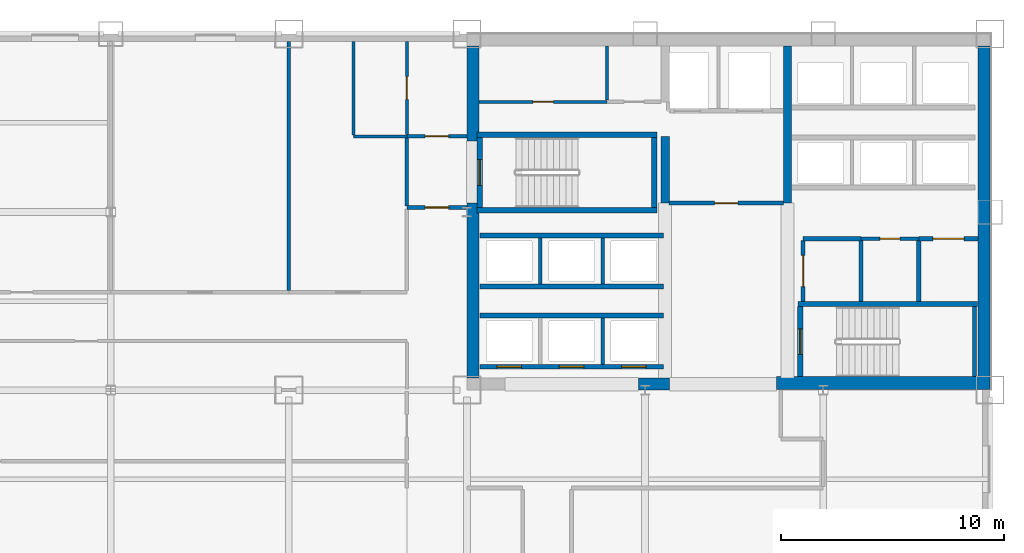
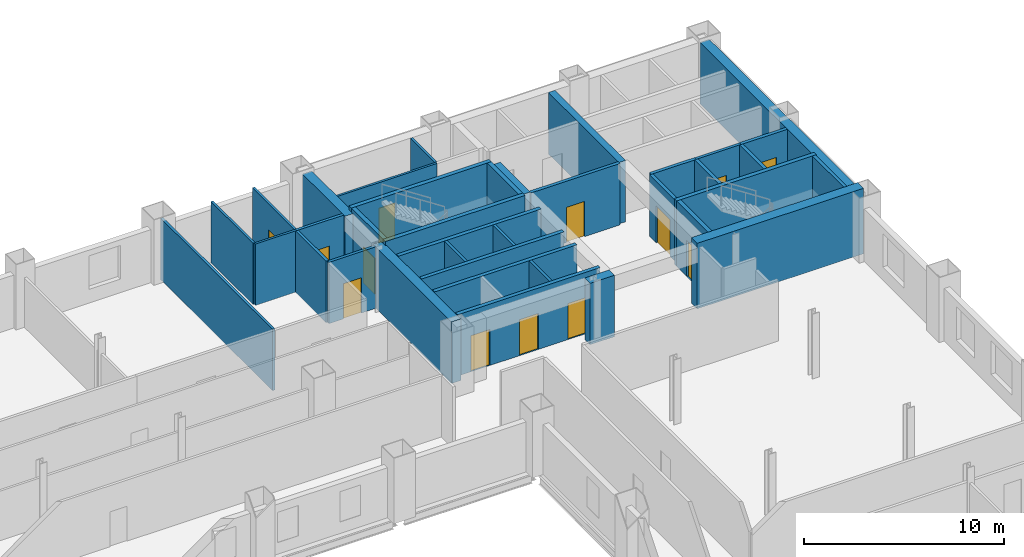
# One storey, part 6 of 9: 37 walls, 13 doors, 13 openings.
"""IFC4 building model written with IfcOpenShell, lengths in metres."""

from ifc_helpers import new_model, si_unit, direction, frame, frame_2d, origin, place, context, subcontext, project, spatial, rectangle, extrude, material, layer, layer_set, type_object, element, fill, save


model = new_model("IFC4")

# Units and contexts
model_context = context("Model", 3, precision=1e-05, world=origin(), true_north=direction((0.0, 1.0)))
body_context = subcontext(model_context, "Body", "Model", "MODEL_VIEW")
ifc_project = project(units=[si_unit("LENGTHUNIT", "METRE"), si_unit("AREAUNIT", "SQUARE_METRE"), si_unit("VOLUMEUNIT", "CUBIC_METRE"), si_unit("PLANEANGLEUNIT", "RADIAN"), si_unit("MASSUNIT", "GRAM", prefix="KILO")], contexts=[model_context])

# Site, building, storey
site_placement = place(None, origin())
site = spatial("IfcSite", under=ifc_project, at=site_placement, CompositionType="ELEMENT")
building_placement = place(site_placement, origin())
building = spatial("IfcBuilding", under=site, at=building_placement, Name="Qianrong Seaharbour Tower", CompositionType="ELEMENT")
storey_placement = place(building_placement, frame((0.0, 0.0, 44.199951171875)))
storey = spatial("IfcBuildingStorey", under=building, at=storey_placement, Name="L10", CompositionType="ELEMENT", Elevation=44.199951171875)

# Walls
ifc_material_1 = material(Name="Concrete C70/85", Category="concrete")
ifc_layer_1 = layer(ifc_material_1, 0.5400390625)
ifc_layer_set_1 = layer_set([ifc_layer_1], Name="Concrete C70/85")
wall_type_1 = type_object("IfcWallType", Name="WALL-CORE-540", PredefinedType="SHEAR", material=ifc_layer_set_1)
wall_1_placement = place(storey_placement, frame((63.72998046875, 36.320068359375, 0.0), z_axis=(0.0, 0.0, 1.0), x_axis=(0.0, 1.0, 0.0)))
element("IfcWall", 1, at=wall_1_placement, inside=storey, type_object=wall_type_1, Name="L10 East Core Shear Wall", PredefinedType="SHEAR", context=body_context, shape_type="SweptSolid", body=[
    extrude(rectangle(XDim=15.139892578125, YDim=0.5400390625, at=frame_2d((7.56982421875, 0.0))), origin(), (0.0, 0.0, 1.0), 3.75),
])
wall_2_placement = place(storey_placement, frame((40.77001953125, 36.5400390625, 0.0), z_axis=(0.0, 0.0, 1.0), x_axis=(0.0, 1.0, 0.0)))
element("IfcWall", 2, at=wall_2_placement, inside=storey, type_object=wall_type_1, Name="L10 West Core Shear Wall South", PredefinedType="SHEAR", context=body_context, shape_type="SweptSolid", body=[
    extrude(rectangle(XDim=7.85986328125, YDim=0.5400390625, at=frame_2d((3.929931640625, 0.0))), origin(), (0.0, 0.0, 1.0), 3.75),
])
wall_3_placement = place(storey_placement, frame((40.77001953125, 47.199951171875, 0.0), z_axis=(0.0, 0.0, 1.0), x_axis=(0.0, 1.0, 0.0)))
element("IfcWall", 3, at=wall_3_placement, inside=storey, type_object=wall_type_1, Name="L10 West Core Shear Wall North", PredefinedType="SHEAR", context=body_context, shape_type="SweptSolid", body=[
    extrude(rectangle(XDim=4.260009765625, YDim=0.5400390625, at=frame_2d((2.1298828125, 0.0))), origin(), (0.0, 0.0, 1.0), 3.75),
])
wall_4_placement = place(storey_placement, frame((48.199951171875, 36.27001953125, 0.0), z_axis=(0.0, 0.0, 1.0), x_axis=(1.0, 0.0, 0.0)))
element("IfcWall", 4, at=wall_4_placement, inside=storey, type_object=wall_type_1, Name="L10 South Core Shear Wall S2", PredefinedType="SHEAR", context=body_context, shape_type="SweptSolid", body=[
    extrude(rectangle(XDim=1.400146484375, YDim=0.5400390625, at=frame_2d((0.7001953125, 0.0))), origin(), (0.0, 0.0, 1.0), 3.75),
])
ifc_layer_2 = layer(ifc_material_1, 0.580078125)
ifc_layer_set_2 = layer_set([ifc_layer_2], Name="Concrete C70/85")
wall_type_2 = type_object("IfcWallType", Name="WALL-CORE-580", PredefinedType="SHEAR", material=ifc_layer_set_2)
wall_5_placement = place(storey_placement, frame((54.39990234375, 36.320068359375, 0.0), z_axis=(0.0, 0.0, 1.0), x_axis=(1.0, 0.0, 0.0)))
element("IfcWall", 5, at=wall_5_placement, inside=storey, type_object=wall_type_2, Name="L10 South Core Shear Wall S3", PredefinedType="SHEAR", context=body_context, shape_type="SweptSolid", body=[
    extrude(rectangle(XDim=9.60009765625, YDim=0.580078125, at=frame_2d((4.800048828125, 0.0))), origin(), (0.0, 0.0, 1.0), 4.0),
])
ifc_material_2 = material(Name="Concrete C60/75", Category="concrete")
ifc_layer_3 = layer(ifc_material_2, 0.3798828125)
ifc_layer_set_3 = layer_set([ifc_layer_3], Name="Concrete C60/75")
wall_type_3 = type_object("IfcWallType", Name="WALL-CORE-INT-380", PredefinedType="SHEAR", material=ifc_layer_set_3)
wall_6_placement = place(storey_placement, frame((49.39990234375, 44.39990234375, 0.0), z_axis=(0.0, 0.0, 1.0), x_axis=(0.0, 1.0, 0.0)))
element("IfcWall", 6, at=wall_6_placement, inside=storey, type_object=wall_type_3, Name="L10 Internal Core Shear Wall IW1N1", PredefinedType="SHEAR", context=body_context, shape_type="SweptSolid", body=[
    extrude(rectangle(XDim=3.0, YDim=0.3798828125, at=frame_2d((1.5, 0.0))), origin(), (0.0, 0.0, 1.0), 3.75),
])
wall_7_placement = place(storey_placement, frame((54.89990234375, 44.39990234375, 0.0), z_axis=(0.0, 0.0, 1.0), x_axis=(0.0, 1.0, 0.0)))
element("IfcWall", 7, at=wall_7_placement, inside=storey, type_object=wall_type_3, Name="L10 Internal Core Shear Wall IW2N", PredefinedType="SHEAR", context=body_context, shape_type="SweptSolid", body=[
    extrude(rectangle(XDim=7.06005859375, YDim=0.3798828125, at=frame_2d((3.530029296875, 0.0))), origin(), (0.0, 0.0, 1.0), 3.75),
])

# Wall, opening, door
ifc_material_3 = material(Name="Fire-rated acoustic gypsum board partition")
ifc_layer_4 = layer(ifc_material_3, 0.1650390625)
ifc_layer_set_4 = layer_set([ifc_layer_4], Name="Fire-rated acoustic gypsum board partition")
wall_type_4 = type_object("IfcWallType", Name="WALL-CORR-PART-165", PredefinedType="PARTITIONING", material=ifc_layer_set_4)
wall_8_placement = place(storey_placement, frame((37.800048828125, 47.39990234375, 0.0), z_axis=(0.0, 0.0, 1.0), x_axis=(1.0, 0.0, 0.0)))
wall_8 = element("IfcWall", 8, at=wall_8_placement, inside=storey, type_object=wall_type_4, Name="L10 Interior Partition Wall 001", PredefinedType="PARTITIONING", context=body_context, shape_type="SweptSolid", body=[
    extrude(rectangle(XDim=2.699951171875, YDim=0.1650390625, at=frame_2d((1.35009765625, 0.0))), origin(), (0.0, 0.0, 1.0), 3.75),
])
opening_1_placement = place(wall_8_placement, frame((0.824951171875, 0.0, 0.0)))
opening_1 = element("IfcOpeningElement", 9, at=opening_1_placement, cuts=wall_8, Name="Opening DC-01", PredefinedType="OPENING", context=body_context, shape_type="SweptSolid", body=[
    extrude(rectangle(XDim=1.050048828125, YDim=2.14990234375, at=frame_2d((0.52490234375, 1.074951171875))), frame((0.0, 0.092529296875, 0.0), z_axis=(0.0, -1.0, 0.0), x_axis=(1.0, 0.0, 0.0)), (0.0, 0.0, 1.0), 0.18505859375),
])
ifc_material_4 = material(Name="Acoustic timber and galvanized steel fire door assembly", Category="steel")
door_type_1 = type_object("IfcDoorType", Name="DOOR-CORR-FD60-1050x2150", OperationType="NOTDEFINED", PredefinedType="DOOR", material=ifc_material_4)
door_1_placement = place(opening_1_placement, origin())
door_1 = element("IfcDoor", 10, at=door_1_placement, inside=storey, type_object=door_type_1, Name="L10 Smokeproof Stair Vestibule ST-1 Door", OperationType="SINGLE_SWING_LEFT", OverallHeight=2.14990234375, OverallWidth=1.050048828125, PredefinedType="DOOR", context=body_context, shape_type="SweptSolid", body=[
    extrude(rectangle(XDim=1.050048828125, YDim=2.14990234375, at=frame_2d((0.52490234375, 1.074951171875))), frame((0.0, 0.02490234375, 0.0), z_axis=(0.0, -1.0, 0.0), x_axis=(1.0, 0.0, 0.0)), (0.0, 0.0, 1.0), 0.050048828125),
])
fill(opening_1, door_1)

wall_9_placement = place(storey_placement, frame((40.5, 44.199951171875, 0.0), z_axis=(0.0, 0.0, 1.0), x_axis=(-1.0, 0.0, 0.0)))
wall_9 = element("IfcWall", 11, at=wall_9_placement, inside=storey, type_object=wall_type_4, Name="L10 Interior Partition Wall 002", PredefinedType="PARTITIONING", context=body_context, shape_type="SweptSolid", body=[
    extrude(rectangle(XDim=2.699951171875, YDim=0.1650390625, at=frame_2d((1.35009765625, 0.0))), origin(), (0.0, 0.0, 1.0), 3.75),
])
opening_2_placement = place(wall_9_placement, frame((0.824951171875, 0.0, 0.0)))
opening_2 = element("IfcOpeningElement", 12, at=opening_2_placement, cuts=wall_9, Name="Opening DC-01", PredefinedType="OPENING", context=body_context, shape_type="SweptSolid", body=[
    extrude(rectangle(XDim=1.050048828125, YDim=2.14990234375, at=frame_2d((0.52490234375, 1.074951171875))), frame((0.0, 0.092529296875, 0.0), z_axis=(0.0, -1.0, 0.0), x_axis=(1.0, 0.0, 0.0)), (0.0, 0.0, 1.0), 0.18505859375),
])
door_2_placement = place(opening_2_placement, origin())
door_2 = element("IfcDoor", 13, at=door_2_placement, inside=storey, type_object=door_type_1, Name="L10 Smokeproof Stair Vestibule ST-1 Door", OperationType="SINGLE_SWING_RIGHT", OverallHeight=2.14990234375, OverallWidth=1.050048828125, PredefinedType="DOOR", context=body_context, shape_type="SweptSolid", body=[
    extrude(rectangle(XDim=1.050048828125, YDim=2.14990234375, at=frame_2d((0.52490234375, 1.074951171875))), frame((0.0, 0.02490234375, 0.0), z_axis=(0.0, -1.0, 0.0), x_axis=(1.0, 0.0, 0.0)), (0.0, 0.0, 1.0), 0.050048828125),
])
fill(opening_2, door_2)

# Wall
wall_10_placement = place(storey_placement, frame((37.800048828125, 44.2744140625, 0.0), z_axis=(0.0, 0.0, 1.0), x_axis=(0.0, 1.0, 0.0)))
element("IfcWall", 14, at=wall_10_placement, inside=storey, type_object=wall_type_4, Name="L10 Interior Partition Wall 003", PredefinedType="PARTITIONING", context=body_context, shape_type="SweptSolid", body=[
    extrude(rectangle(XDim=3.051025390625, YDim=0.1650390625, at=frame_2d((1.525390625, 0.0))), origin(), (0.0, 0.0, 1.0), 3.75),
])

# Wall, opening, door
wall_11_placement = place(storey_placement, frame((60.800048828125, 42.800048828125, 0.0), z_axis=(0.0, 0.0, 1.0), x_axis=(-1.0, 0.0, 0.0)))
wall_11 = element("IfcWall", 15, at=wall_11_placement, inside=storey, type_object=wall_type_4, Name="L10 Interior Partition Wall 012", PredefinedType="PARTITIONING", context=body_context, shape_type="SweptSolid", body=[
    extrude(rectangle(XDim=2.60009765625, YDim=0.1650390625, at=frame_2d((1.300048828125, 0.0))), origin(), (0.0, 0.0, 1.0), 3.75),
])
opening_3_placement = place(wall_11_placement, frame((0.85009765625, 0.0, 0.0)))
opening_3 = element("IfcOpeningElement", 16, at=opening_3_placement, cuts=wall_11, Name="Opening DS-01", PredefinedType="OPENING", context=body_context, shape_type="SweptSolid", body=[
    extrude(rectangle(XDim=0.89990234375, YDim=2.14990234375, at=frame_2d((0.449951171875, 1.074951171875))), frame((0.0, 0.092529296875, 0.0), z_axis=(0.0, -1.0, 0.0), x_axis=(1.0, 0.0, 0.0)), (0.0, 0.0, 1.0), 0.18505859375),
])
door_type_2 = type_object("IfcDoorType", Name="DOOR-STORE-900x2150", OperationType="NOTDEFINED", PredefinedType="DOOR", material=ifc_material_4)
door_3_placement = place(opening_3_placement, origin())
door_3 = element("IfcDoor", 17, at=door_3_placement, inside=storey, type_object=door_type_2, Name="L10 Supply Store Room Door", OperationType="SINGLE_SWING_LEFT", OverallHeight=2.14990234375, OverallWidth=0.89990234375, PredefinedType="DOOR", context=body_context, shape_type="SweptSolid", body=[
    extrude(rectangle(XDim=0.89990234375, YDim=2.14990234375, at=frame_2d((0.449951171875, 1.074951171875))), frame((0.0, 0.02490234375, 0.0), z_axis=(0.0, -1.0, 0.0), x_axis=(1.0, 0.0, 0.0)), (0.0, 0.0, 1.0), 0.050048828125),
])
fill(opening_3, door_3)

ifc_material_5 = material(Name="Double fire-rated gypsum board acoustic partition")
ifc_layer_5 = layer(ifc_material_5, 0.18994140625)
ifc_layer_set_5 = layer_set([ifc_layer_5], Name="Double fire-rated gypsum board acoustic partition")
wall_type_5 = type_object("IfcWallType", Name="WALL-FIRE-PART-190", PredefinedType="PARTITIONING", material=ifc_layer_set_5)
wall_12_placement = place(storey_placement, frame((54.718017578125, 44.39990234375, 0.0), z_axis=(0.0, 0.0, 1.0), x_axis=(-1.0, 0.0, 0.0)))
wall_12 = element("IfcWall", 18, at=wall_12_placement, inside=storey, type_object=wall_type_5, Name="L10 Interior Partition Wall 009", PredefinedType="PARTITIONING", context=body_context, shape_type="SweptSolid", body=[
    extrude(rectangle(XDim=5.135986328125, YDim=0.18994140625, at=frame_2d((2.56787109375, 0.0))), origin(), (0.0, 0.0, 1.0), 3.75),
])
opening_4_placement = place(wall_12_placement, frame((2.04296875, 0.0, 0.0)))
opening_4 = element("IfcOpeningElement", 19, at=opening_4_placement, cuts=wall_12, Name="Opening DC-01", PredefinedType="OPENING", context=body_context, shape_type="SweptSolid", body=[
    extrude(rectangle(XDim=1.050048828125, YDim=2.14990234375, at=frame_2d((0.52490234375, 1.074951171875))), frame((0.0, 0.10498046875, 0.0), z_axis=(0.0, -1.0, 0.0), x_axis=(1.0, 0.0, 0.0)), (0.0, 0.0, 1.0), 0.2099609375),
])
door_4_placement = place(opening_4_placement, origin())
door_4 = element("IfcDoor", 20, at=door_4_placement, inside=storey, type_object=door_type_1, Name="L10 Firefighting Lift Lobby Door", OperationType="SINGLE_SWING_RIGHT", OverallHeight=2.14990234375, OverallWidth=1.050048828125, PredefinedType="DOOR", context=body_context, shape_type="SweptSolid", body=[
    extrude(rectangle(XDim=1.050048828125, YDim=2.14990234375, at=frame_2d((0.52490234375, 1.074951171875))), frame((0.0, 0.02490234375, 0.0), z_axis=(0.0, -1.0, 0.0), x_axis=(1.0, 0.0, 0.0)), (0.0, 0.0, 1.0), 0.050048828125),
])
fill(opening_4, door_4)

wall_13_placement = place(storey_placement, frame((55.60009765625, 42.712890625, 0.0), z_axis=(0.0, 0.0, 1.0), x_axis=(0.0, -1.0, 0.0)))
wall_13 = element("IfcWall", 21, at=wall_13_placement, inside=storey, type_object=wall_type_5, Name="L10 Interior Partition Wall 010", PredefinedType="PARTITIONING", context=body_context, shape_type="SweptSolid", body=[
    extrude(rectangle(XDim=2.73095703125, YDim=0.18994140625, at=frame_2d((1.365478515625, 0.0))), origin(), (0.0, 0.0, 1.0), 3.75),
])
opening_5_placement = place(wall_13_placement, frame((0.66552734375, 0.0, 0.0)))
opening_5 = element("IfcOpeningElement", 22, at=opening_5_placement, cuts=wall_13, Name="Opening DP-01", PredefinedType="OPENING", context=body_context, shape_type="SweptSolid", body=[
    extrude(rectangle(XDim=1.39990234375, YDim=2.25, at=frame_2d((0.699951171875, 1.125))), frame((0.0, 0.10498046875, 0.0), z_axis=(0.0, -1.0, 0.0), x_axis=(1.0, 0.0, 0.0)), (0.0, 0.0, 1.0), 0.2099609375),
])
door_type_3 = type_object("IfcDoorType", Name="DOOR-PLANT-PAIR-1400x2250", OperationType="DOUBLE_DOOR_SINGLE_SWING", PredefinedType="DOOR", material=ifc_material_4)
door_5_placement = place(opening_5_placement, origin())
door_5 = element("IfcDoor", 23, at=door_5_placement, inside=storey, type_object=door_type_3, Name="L10 Core Telecom Room Door", OperationType="DOUBLE_DOOR_SINGLE_SWING", OverallHeight=2.25, OverallWidth=1.39990234375, PredefinedType="DOOR", context=body_context, shape_type="SweptSolid", body=[
    extrude(rectangle(XDim=1.39990234375, YDim=2.25, at=frame_2d((0.699951171875, 1.125))), frame((0.0, 0.02490234375, 0.0), z_axis=(0.0, -1.0, 0.0), x_axis=(1.0, 0.0, 0.0)), (0.0, 0.0, 1.0), 0.050048828125),
])
fill(opening_5, door_5)

# Wall
wall_14_placement = place(storey_placement, frame((58.199951171875, 42.800048828125, 0.0), z_axis=(0.0, 0.0, 1.0), x_axis=(-1.0, 0.0, 0.0)))
element("IfcWall", 24, at=wall_14_placement, inside=storey, type_object=wall_type_5, Name="L10 Interior Partition Wall 011", PredefinedType="PARTITIONING", context=body_context, shape_type="SweptSolid", body=[
    extrude(rectangle(XDim=2.599853515625, YDim=0.18994140625, at=frame_2d((1.2998046875, 0.0))), origin(), (0.0, 0.0, 1.0), 3.75),
])

# Wall, opening, door
wall_15_placement = place(storey_placement, frame((63.4599609375, 42.800048828125, 0.0), z_axis=(0.0, 0.0, 1.0), x_axis=(-1.0, 0.0, 0.0)))
wall_15 = element("IfcWall", 25, at=wall_15_placement, inside=storey, type_object=wall_type_5, Name="L10 Interior Partition Wall 013", PredefinedType="PARTITIONING", context=body_context, shape_type="SweptSolid", body=[
    extrude(rectangle(XDim=2.659912109375, YDim=0.18994140625, at=frame_2d((1.330078125, 0.0))), origin(), (0.0, 0.0, 1.0), 3.75),
])
opening_6_placement = place(wall_15_placement, frame((0.6298828125, 0.0, 0.0)))
opening_6 = element("IfcOpeningElement", 26, at=opening_6_placement, cuts=wall_15, Name="Opening DP-01", PredefinedType="OPENING", context=body_context, shape_type="SweptSolid", body=[
    extrude(rectangle(XDim=1.39990234375, YDim=2.25, at=frame_2d((0.699951171875, 1.125))), frame((0.0, 0.10498046875, 0.0), z_axis=(0.0, -1.0, 0.0), x_axis=(1.0, 0.0, 0.0)), (0.0, 0.0, 1.0), 0.2099609375),
])
door_6_placement = place(opening_6_placement, origin())
door_6 = element("IfcDoor", 27, at=door_6_placement, inside=storey, type_object=door_type_3, Name="L10 Building Metering Room Door", OperationType="DOUBLE_DOOR_SINGLE_SWING", OverallHeight=2.25, OverallWidth=1.39990234375, PredefinedType="DOOR", context=body_context, shape_type="SweptSolid", body=[
    extrude(rectangle(XDim=1.39990234375, YDim=2.25, at=frame_2d((0.699951171875, 1.125))), frame((0.0, 0.02490234375, 0.0), z_axis=(0.0, -1.0, 0.0), x_axis=(1.0, 0.0, 0.0)), (0.0, 0.0, 1.0), 0.050048828125),
])
fill(opening_6, door_6)

# Walls
for number, where, z_axis, x_axis, name in (
    (28, (58.199951171875, 42.712890625, 0.0), (0.0, 0.0, 1.0), (0.0, -1.0, 0.0), "L10 Interior Partition Wall 015"),
    (29, (60.800048828125, 42.712890625, 0.0), (0.0, 0.0, 1.0), (0.0, -1.0, 0.0), "L10 Interior Partition Wall 016"),
):
    element("IfcWall", number, at=place(storey_placement, frame(where, z_axis=z_axis, x_axis=x_axis)), inside=storey, type_object=wall_type_5, Name=name, PredefinedType="PARTITIONING", context=body_context, shape_type="SweptSolid", body=[
        extrude(rectangle(XDim=2.73095703125, YDim=0.18994140625, at=frame_2d((1.365478515625, 0.0))), origin(), (0.0, 0.0, 1.0), 3.75),
    ])
ifc_material_6 = material(Name="Acoustic gypsum board stud partition")
ifc_layer_6 = layer(ifc_material_6, 0.14501953125)
ifc_layer_set_6 = layer_set([ifc_layer_6], Name="Acoustic gypsum board stud partition")
wall_type_6 = type_object("IfcWallType", Name="WALL-OFFICE-PART-145", PredefinedType="PARTITIONING", material=ifc_layer_set_6)
wall_16_placement = place(storey_placement, frame((32.5, 51.66796875, 0.0), z_axis=(0.0, 0.0, 1.0), x_axis=(0.0, -1.0, 0.0)))
element("IfcWall", 30, at=wall_16_placement, inside=storey, type_object=wall_type_6, Name="L10 Interior Partition Wall 042", PredefinedType="PARTITIONING", context=body_context, shape_type="SweptSolid", body=[
    extrude(rectangle(XDim=11.193359375, YDim=0.14501953125, at=frame_2d((5.5966796875, 0.0))), origin(), (0.0, 0.0, 1.0), 3.75),
])
ifc_material_7 = material(Name="Fire-rated gypsum board on steel studs", Category="steel")
ifc_layer_7 = layer(ifc_material_7, 0.14990234375)
ifc_layer_set_7 = layer_set([ifc_layer_7], Name="Fire-rated gypsum board on steel studs")
wall_type_7 = type_object("IfcWallType", Name="WALL-SHAFT-DIV-150", PredefinedType="PARTITIONING", material=ifc_layer_set_7)
for number, where, z_axis, x_axis, name in (
    (31, (46.60009765625, 37.159912109375, 0.0), (0.0, 0.0, 1.0), (0.0, 1.0, 0.0), "L10 P1 Lift Hoistway Divider 3"),
    (32, (43.800048828125, 40.760009765625, 0.0), (0.0, 0.0, 1.0), (0.0, 1.0, 0.0), "L10 P2 Lift Hoistway Divider 2"),
    (33, (46.60009765625, 40.760009765625, 0.0), (0.0, 0.0, 1.0), (0.0, 1.0, 0.0), "L10 P2 Lift Hoistway Divider 3"),
):
    element("IfcWall", number, at=place(storey_placement, frame(where, z_axis=z_axis, x_axis=x_axis)), inside=storey, type_object=wall_type_7, Name=name, PredefinedType="PARTITIONING", context=body_context, shape_type="SweptSolid", body=[
        extrude(rectangle(XDim=2.080078125, YDim=0.14990234375, at=frame_2d((1.0400390625, 0.0))), origin(), (0.0, 0.0, 1.0), 3.75),
    ])

# Wall, openings, doors
ifc_layer_8 = layer(ifc_material_7, 0.219970703125)
ifc_layer_set_8 = layer_set([ifc_layer_8], Name="Fire-rated gypsum board on steel studs")
wall_type_8 = type_object("IfcWallType", Name="WALL-SHAFT-GYP220", PredefinedType="PARTITIONING", material=ifc_layer_set_8)
wall_17_placement = place(storey_placement, frame((49.320068359375, 37.050048828125, 0.0), z_axis=(0.0, 0.0, 1.0), x_axis=(-1.0, 0.0, 0.0)))
wall_17 = element("IfcWall", 34, at=wall_17_placement, inside=storey, type_object=wall_type_8, Name="L10 P1 Lift Hoistway Front Wall", PredefinedType="PARTITIONING", context=body_context, shape_type="SweptSolid", body=[
    extrude(rectangle(XDim=8.239990234375, YDim=0.219970703125, at=frame_2d((4.1201171875, 0.0))), origin(), (0.0, 0.0, 1.0), 3.75),
])
opening_7_placement = place(wall_17_placement, frame((6.3701171875, 0.0, 0.0)))
opening_7 = element("IfcOpeningElement", 35, at=opening_7_placement, cuts=wall_17, Name="Opening LD-02", PredefinedType="OPENING", context=body_context, shape_type="SweptSolid", body=[
    extrude(rectangle(XDim=1.10009765625, YDim=2.199951171875, at=frame_2d((0.550048828125, 1.10009765625))), frame((0.0, 0.1201171875, 0.0), z_axis=(0.0, -1.0, 0.0), x_axis=(1.0, 0.0, 0.0)), (0.0, 0.0, 1.0), 0.239990234375),
])
opening_8_placement = place(wall_17_placement, frame((3.570068359375, 0.0, 0.0)))
opening_8 = element("IfcOpeningElement", 36, at=opening_8_placement, cuts=wall_17, Name="Opening LD-02", PredefinedType="OPENING", context=body_context, shape_type="SweptSolid", body=[
    extrude(rectangle(XDim=1.10009765625, YDim=2.199951171875, at=frame_2d((0.550048828125, 1.10009765625))), frame((0.0, 0.1201171875, 0.0), z_axis=(0.0, -1.0, 0.0), x_axis=(1.0, 0.0, 0.0)), (0.0, 0.0, 1.0), 0.239990234375),
])
opening_9_placement = place(wall_17_placement, frame((0.77001953125, 0.0, 0.0)))
opening_9 = element("IfcOpeningElement", 37, at=opening_9_placement, cuts=wall_17, Name="Opening LD-02", PredefinedType="OPENING", context=body_context, shape_type="SweptSolid", body=[
    extrude(rectangle(XDim=1.10009765625, YDim=2.199951171875, at=frame_2d((0.550048828125, 1.10009765625))), frame((0.0, 0.1201171875, 0.0), z_axis=(0.0, -1.0, 0.0), x_axis=(1.0, 0.0, 0.0)), (0.0, 0.0, 1.0), 0.239990234375),
])
ifc_material_8 = material(Name="Stainless steel SUS316L bi-parting lift landing door", Category="steel")
door_type_4 = type_object("IfcDoorType", Name="DOOR-LIFT-PASS-1100x2200", OperationType="DOUBLE_DOOR_SLIDING", PredefinedType="DOOR", material=ifc_material_8)
door_7_placement = place(opening_7_placement, origin())
door_7 = element("IfcDoor", 38, at=door_7_placement, inside=storey, type_object=door_type_4, Name="L10 PL-1A Lift Landing Door", OperationType="DOUBLE_DOOR_SLIDING", OverallHeight=2.199951171875, OverallWidth=1.10009765625, PredefinedType="DOOR", context=body_context, shape_type="SweptSolid", body=[
    extrude(rectangle(XDim=1.10009765625, YDim=2.199951171875, at=frame_2d((0.550048828125, 1.10009765625))), frame((0.0, 0.02490234375, 0.0), z_axis=(0.0, -1.0, 0.0), x_axis=(1.0, 0.0, 0.0)), (0.0, 0.0, 1.0), 0.050048828125),
])
fill(opening_7, door_7)
door_8_placement = place(opening_8_placement, origin())
door_8 = element("IfcDoor", 39, at=door_8_placement, inside=storey, type_object=door_type_4, Name="L10 PL-1B Lift Landing Door", OperationType="DOUBLE_DOOR_SLIDING", OverallHeight=2.199951171875, OverallWidth=1.10009765625, PredefinedType="DOOR", context=body_context, shape_type="SweptSolid", body=[
    extrude(rectangle(XDim=1.10009765625, YDim=2.199951171875, at=frame_2d((0.550048828125, 1.10009765625))), frame((0.0, 0.02490234375, 0.0), z_axis=(0.0, -1.0, 0.0), x_axis=(1.0, 0.0, 0.0)), (0.0, 0.0, 1.0), 0.050048828125),
])
fill(opening_8, door_8)
door_9_placement = place(opening_9_placement, origin())
door_9 = element("IfcDoor", 40, at=door_9_placement, inside=storey, type_object=door_type_4, Name="L10 PL-1C Lift Landing Door", OperationType="DOUBLE_DOOR_SLIDING", OverallHeight=2.199951171875, OverallWidth=1.10009765625, PredefinedType="DOOR", context=body_context, shape_type="SweptSolid", body=[
    extrude(rectangle(XDim=1.10009765625, YDim=2.199951171875, at=frame_2d((0.550048828125, 1.10009765625))), frame((0.0, 0.02490234375, 0.0), z_axis=(0.0, -1.0, 0.0), x_axis=(1.0, 0.0, 0.0)), (0.0, 0.0, 1.0), 0.050048828125),
])
fill(opening_9, door_9)

# Walls
for number, where, z_axis, x_axis, name in (
    (41, (41.080078125, 39.35009765625, 0.0), (0.0, 0.0, 1.0), (1.0, 0.0, 0.0), "L10 P1 Lift Hoistway Back Wall"),
    (42, (49.320068359375, 40.64990234375, 0.0), (0.0, 0.0, 1.0), (-1.0, 0.0, 0.0), "L10 P2 Lift Hoistway Front Wall"),
    (43, (41.080078125, 42.949951171875, 0.0), (0.0, 0.0, 1.0), (1.0, 0.0, 0.0), "L10 P2 Lift Hoistway Back Wall"),
):
    element("IfcWall", number, at=place(storey_placement, frame(where, z_axis=z_axis, x_axis=x_axis)), inside=storey, type_object=wall_type_8, Name=name, PredefinedType="PARTITIONING", context=body_context, shape_type="SweptSolid", body=[
        extrude(rectangle(XDim=8.239990234375, YDim=0.219970703125, at=frame_2d((4.1201171875, 0.0))), origin(), (0.0, 0.0, 1.0), 3.75),
    ])
ifc_material_9 = material(Name="Concrete C50/60", Category="concrete")
ifc_layer_9 = layer(ifc_material_9, 0.239990234375)
ifc_layer_set_9 = layer_set([ifc_layer_9], Name="Concrete C50/60")
wall_type_9 = type_object("IfcWallType", Name="WALL-SHAFT-RC240", PredefinedType="SOLIDWALL", material=ifc_layer_set_9)
for number, where, z_axis, x_axis, name in (
    (44, (40.9599609375, 47.469970703125, 0.0), (0.0, 0.0, 1.0), (1.0, 0.0, 0.0), "L10 ST-1 Structural Stair Core Wall N"),
    (45, (49.0400390625, 44.080078125, 0.0), (0.0, 0.0, 1.0), (-1.0, 0.0, 0.0), "L10 ST-1 Structural Stair Core Wall S"),
):
    element("IfcWall", number, at=place(storey_placement, frame(where, z_axis=z_axis, x_axis=x_axis)), inside=storey, type_object=wall_type_9, Name=name, PredefinedType="SOLIDWALL", context=body_context, shape_type="SweptSolid", body=[
        extrude(rectangle(XDim=8.080078125, YDim=0.239990234375, at=frame_2d((4.0400390625, 0.0))), origin(), (0.0, 0.0, 1.0), 4.0),
    ])

# Wall, opening, door
wall_18_placement = place(storey_placement, frame((41.080078125, 47.35009765625, 0.0), z_axis=(0.0, 0.0, 1.0), x_axis=(0.0, -1.0, 0.0)))
wall_18 = element("IfcWall", 46, at=wall_18_placement, inside=storey, type_object=wall_type_9, Name="L10 ST-1 Structural Stair Core Wall W", PredefinedType="SOLIDWALL", context=body_context, shape_type="SweptSolid", body=[
    extrude(rectangle(XDim=3.150146484375, YDim=0.239990234375, at=frame_2d((1.5751953125, 0.0))), origin(), (0.0, 0.0, 1.0), 4.0),
])
opening_10_placement = place(wall_18_placement, frame((1.0, 0.0, 0.0)))
opening_10 = element("IfcOpeningElement", 47, at=opening_10_placement, cuts=wall_18, Name="Opening SD-01", PredefinedType="OPENING", context=body_context, shape_type="SweptSolid", body=[
    extrude(rectangle(XDim=1.14990234375, YDim=2.199951171875, at=frame_2d((0.574951171875, 1.10009765625))), frame((0.0, 0.1298828125, 0.0), z_axis=(0.0, -1.0, 0.0), x_axis=(1.0, 0.0, 0.0)), (0.0, 0.0, 1.0), 0.260009765625),
])
door_type_5 = type_object("IfcDoorType", Name="DOOR-STAIR-FD60-1150x2200", OperationType="NOTDEFINED", PredefinedType="DOOR", material=ifc_material_4)
door_10_placement = place(opening_10_placement, origin())
door_10 = element("IfcDoor", 48, at=door_10_placement, inside=storey, type_object=door_type_5, Name="L10 ST-1 Protected Stair Door", OperationType="SINGLE_SWING_LEFT", OverallHeight=2.199951171875, OverallWidth=1.14990234375, PredefinedType="DOOR", context=body_context, shape_type="SweptSolid", body=[
    extrude(rectangle(XDim=1.14990234375, YDim=2.199951171875, at=frame_2d((0.574951171875, 1.10009765625))), frame((0.0, 0.02490234375, 0.0), z_axis=(0.0, -1.0, 0.0), x_axis=(1.0, 0.0, 0.0)), (0.0, 0.0, 1.0), 0.050048828125),
])
fill(opening_10, door_10)

# Walls
wall_19_placement = place(storey_placement, frame((48.919921875, 44.199951171875, 0.0), z_axis=(0.0, 0.0, 1.0), x_axis=(0.0, 1.0, 0.0)))
element("IfcWall", 49, at=wall_19_placement, inside=storey, type_object=wall_type_9, Name="L10 ST-1 Structural Stair Core Wall E", PredefinedType="SOLIDWALL", context=body_context, shape_type="SweptSolid", body=[
    extrude(rectangle(XDim=3.150146484375, YDim=0.239990234375, at=frame_2d((1.5751953125, 0.0))), origin(), (0.0, 0.0, 1.0), 4.0),
])
wall_20_placement = place(storey_placement, frame((55.360107421875, 39.8701171875, 0.0), z_axis=(0.0, 0.0, 1.0), x_axis=(1.0, 0.0, 0.0)))
element("IfcWall", 50, at=wall_20_placement, inside=storey, type_object=wall_type_9, Name="L10 ST-2 Structural Stair Core Wall N", PredefinedType="SOLIDWALL", context=body_context, shape_type="SweptSolid", body=[
    extrude(rectangle(XDim=8.079833984375, YDim=0.239990234375, at=frame_2d((4.0400390625, 0.0))), origin(), (0.0, 0.0, 1.0), 4.0),
])

# Wall, opening, door
wall_21_placement = place(storey_placement, frame((55.47998046875, 39.75, 0.0), z_axis=(0.0, 0.0, 1.0), x_axis=(0.0, -1.0, 0.0)))
wall_21 = element("IfcWall", 51, at=wall_21_placement, inside=storey, type_object=wall_type_9, Name="L10 ST-2 Structural Stair Core Wall W", PredefinedType="SOLIDWALL", context=body_context, shape_type="SweptSolid", body=[
    extrude(rectangle(XDim=3.14990234375, YDim=0.239990234375, at=frame_2d((1.574951171875, 0.0))), origin(), (0.0, 0.0, 1.0), 4.0),
])
opening_11_placement = place(wall_21_placement, frame((1.0, 0.0, 0.0)))
opening_11 = element("IfcOpeningElement", 52, at=opening_11_placement, cuts=wall_21, Name="Opening SD-01", PredefinedType="OPENING", context=body_context, shape_type="SweptSolid", body=[
    extrude(rectangle(XDim=1.14990234375, YDim=2.199951171875, at=frame_2d((0.574951171875, 1.10009765625))), frame((0.0, 0.1298828125, 0.0), z_axis=(0.0, -1.0, 0.0), x_axis=(1.0, 0.0, 0.0)), (0.0, 0.0, 1.0), 0.260009765625),
])
door_11_placement = place(opening_11_placement, origin())
door_11 = element("IfcDoor", 53, at=door_11_placement, inside=storey, type_object=door_type_5, Name="L10 ST-2 Protected Stair Door", OperationType="SINGLE_SWING_LEFT", OverallHeight=2.199951171875, OverallWidth=1.14990234375, PredefinedType="DOOR", context=body_context, shape_type="SweptSolid", body=[
    extrude(rectangle(XDim=1.14990234375, YDim=2.199951171875, at=frame_2d((0.574951171875, 1.10009765625))), frame((0.0, 0.02490234375, 0.0), z_axis=(0.0, -1.0, 0.0), x_axis=(1.0, 0.0, 0.0)), (0.0, 0.0, 1.0), 0.050048828125),
])
fill(opening_11, door_11)

# Wall
wall_22_placement = place(storey_placement, frame((63.2900390625, 36.60009765625, 0.0), z_axis=(0.0, 0.0, 1.0), x_axis=(0.0, 1.0, 0.0)))
element("IfcWall", 54, at=wall_22_placement, inside=storey, type_object=wall_type_9, Name="L10 ST-2 Structural Stair Core Wall E", PredefinedType="SOLIDWALL", context=body_context, shape_type="SweptSolid", body=[
    extrude(rectangle(XDim=3.14990234375, YDim=0.179931640625, at=frame_2d((1.574951171875, 0.0))), origin(), (0.0, 0.0, 1.0), 4.0),
])

# Wall, opening, door
ifc_material_10 = material(Name="Water-resistant cement board sanitary partition")
ifc_layer_10 = layer(ifc_material_10, 0.1298828125)
ifc_layer_set_10 = layer_set([ifc_layer_10], Name="Water-resistant cement board sanitary partition")
wall_type_10 = type_object("IfcWallType", Name="WALL-WET-PART-130", PredefinedType="PARTITIONING", material=ifc_layer_set_10)
wall_23_placement = place(storey_placement, frame((37.800048828125, 47.474609375, 0.0), z_axis=(0.0, 0.0, 1.0), x_axis=(0.0, 1.0, 0.0)))
wall_23 = element("IfcWall", 55, at=wall_23_placement, inside=storey, type_object=wall_type_10, Name="L10 Interior Partition Wall 004", PredefinedType="PARTITIONING", context=body_context, shape_type="SweptSolid", body=[
    extrude(rectangle(XDim=4.193359375, YDim=0.1298828125, at=frame_2d((2.0966796875, 0.0))), origin(), (0.0, 0.0, 1.0), 3.75),
])
opening_12_placement = place(wall_23_placement, frame((1.5869140625, 0.0, 0.0)))
opening_12 = element("IfcOpeningElement", 56, at=opening_12_placement, cuts=wall_23, Name="Opening DAW-01", PredefinedType="OPENING", context=body_context, shape_type="SweptSolid", body=[
    extrude(rectangle(XDim=1.02001953125, YDim=2.14990234375, at=frame_2d((0.510009765625, 1.074951171875))), frame((0.0, 0.074951171875, 0.0), z_axis=(0.0, -1.0, 0.0), x_axis=(1.0, 0.0, 0.0)), (0.0, 0.0, 1.0), 0.14990234375),
])
door_type_6 = type_object("IfcDoorType", Name="DOOR-AWC-SLIDE-1020x2150", OperationType="SLIDING_TO_LEFT", PredefinedType="DOOR", material=ifc_material_4)
door_12_placement = place(opening_12_placement, origin())
door_12 = element("IfcDoor", 57, at=door_12_placement, inside=storey, type_object=door_type_6, Name="L10 Accessible Restroom WC Door", OperationType="SLIDING_TO_LEFT", OverallHeight=2.14990234375, OverallWidth=1.02001953125, PredefinedType="DOOR", context=body_context, shape_type="SweptSolid", body=[
    extrude(rectangle(XDim=1.02001953125, YDim=2.14990234375, at=frame_2d((0.510009765625, 1.074951171875))), frame((0.0, 0.02490234375, 0.0), z_axis=(0.0, -1.0, 0.0), x_axis=(1.0, 0.0, 0.0)), (0.0, 0.0, 1.0), 0.050048828125),
])
fill(opening_12, door_12)

# Walls
wall_24_placement = place(storey_placement, frame((37.800048828125, 47.39990234375, 0.0), z_axis=(0.0, 0.0, 1.0), x_axis=(-1.0, 0.0, 0.0)))
element("IfcWall", 58, at=wall_24_placement, inside=storey, type_object=wall_type_10, Name="L10 Interior Partition Wall 005", PredefinedType="PARTITIONING", context=body_context, shape_type="SweptSolid", body=[
    extrude(rectangle(XDim=2.400146484375, YDim=0.1298828125, at=frame_2d((1.2001953125, 0.0))), origin(), (0.0, 0.0, 1.0), 3.75),
])
wall_25_placement = place(storey_placement, frame((35.39990234375, 47.45703125, 0.0), z_axis=(0.0, 0.0, 1.0), x_axis=(0.0, 1.0, 0.0)))
element("IfcWall", 59, at=wall_25_placement, inside=storey, type_object=wall_type_10, Name="L10 Interior Partition Wall 006", PredefinedType="PARTITIONING", context=body_context, shape_type="SweptSolid", body=[
    extrude(rectangle(XDim=4.2109375, YDim=0.1298828125, at=frame_2d((2.10546875, 0.0))), origin(), (0.0, 0.0, 1.0), 3.75),
])

# Wall, opening, door
wall_26_placement = place(storey_placement, frame((41.0400390625, 48.949951171875, 0.0), z_axis=(0.0, 0.0, 1.0), x_axis=(1.0, 0.0, 0.0)))
wall_26 = element("IfcWall", 60, at=wall_26_placement, inside=storey, type_object=wall_type_10, Name="L10 Interior Partition Wall 007", PredefinedType="PARTITIONING", context=body_context, shape_type="SweptSolid", body=[
    extrude(rectangle(XDim=5.760009765625, YDim=0.1298828125, at=frame_2d((2.8798828125, 0.0))), origin(), (0.0, 0.0, 1.0), 3.75),
])
opening_13_placement = place(wall_26_placement, frame((2.419921875, 0.0, 0.0)))
opening_13 = element("IfcOpeningElement", 61, at=opening_13_placement, cuts=wall_26, Name="Opening DW-01", PredefinedType="OPENING", context=body_context, shape_type="SweptSolid", body=[
    extrude(rectangle(XDim=0.919921875, YDim=2.14990234375, at=frame_2d((0.4599609375, 1.074951171875))), frame((0.0, 0.074951171875, 0.0), z_axis=(0.0, -1.0, 0.0), x_axis=(1.0, 0.0, 0.0)), (0.0, 0.0, 1.0), 0.14990234375),
])
door_type_7 = type_object("IfcDoorType", Name="DOOR-WC-920x2150", OperationType="NOTDEFINED", PredefinedType="DOOR", material=ifc_material_4)
door_13_placement = place(opening_13_placement, origin())
door_13 = element("IfcDoor", 62, at=door_13_placement, inside=storey, type_object=door_type_7, Name="L10 Restroom WC Suite Door", OperationType="SINGLE_SWING_LEFT", OverallHeight=2.14990234375, OverallWidth=0.919921875, PredefinedType="DOOR", context=body_context, shape_type="SweptSolid", body=[
    extrude(rectangle(XDim=0.919921875, YDim=2.14990234375, at=frame_2d((0.4599609375, 1.074951171875))), frame((0.0, 0.02490234375, 0.0), z_axis=(0.0, -1.0, 0.0), x_axis=(1.0, 0.0, 0.0)), (0.0, 0.0, 1.0), 0.050048828125),
])
fill(opening_13, door_13)

# Wall
wall_27_placement = place(storey_placement, frame((46.800048828125, 51.4599609375, 0.0), z_axis=(0.0, 0.0, 1.0), x_axis=(0.0, -1.0, 0.0)))
element("IfcWall", 63, at=wall_27_placement, inside=storey, type_object=wall_type_10, Name="L10 Interior Partition Wall 014", PredefinedType="PARTITIONING", context=body_context, shape_type="SweptSolid", body=[
    extrude(rectangle(XDim=2.435546875, YDim=0.1298828125, at=frame_2d((1.2177734375, 0.0))), origin(), (0.0, 0.0, 1.0), 3.75),
])

save(model, "model.ifc")
